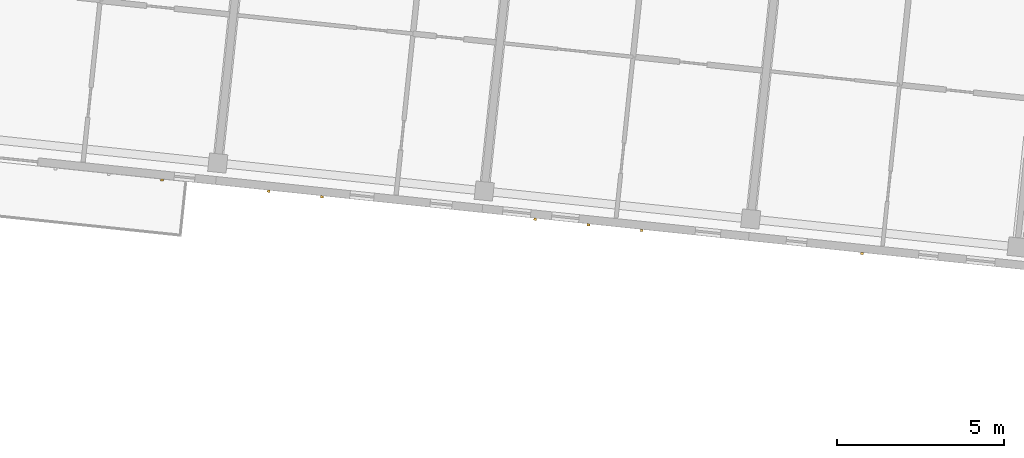
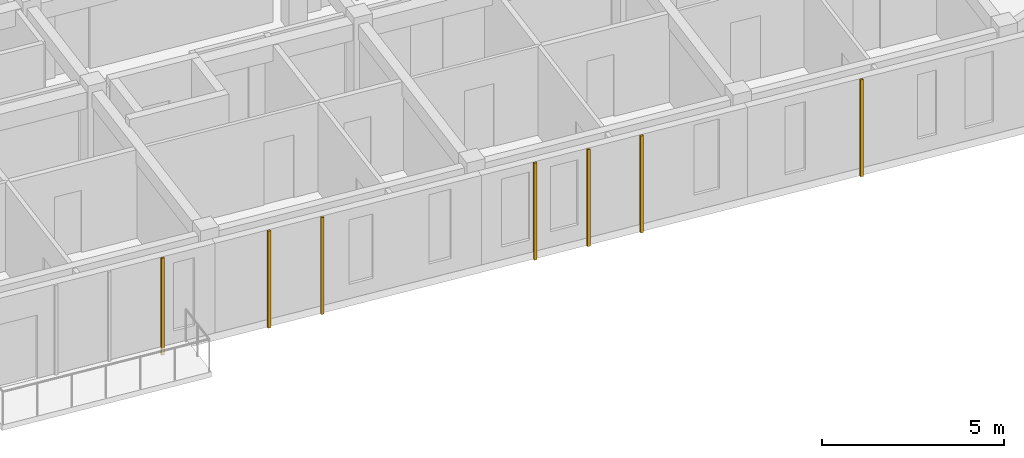
# One storey, part 63 of 66: 7 coverings.
"""IFC4 building model written with IfcOpenShell, lengths in metres."""

from ifc_helpers import new_model, si_unit, direction, frame, origin, origin_2d, place, context, subcontext, project, spatial, rectangle, extrude, material, layer, layer_set, type_object, element, save


model = new_model("IFC4")

# Units and contexts
model_context = context("Model", 3, precision=1e-05, world=origin(), true_north=direction((0.0, 1.0)))
body_context = subcontext(model_context, "Body", "Model", "MODEL_VIEW")
ifc_project = project(units=[si_unit("LENGTHUNIT", "METRE"), si_unit("AREAUNIT", "SQUARE_METRE"), si_unit("VOLUMEUNIT", "CUBIC_METRE"), si_unit("PLANEANGLEUNIT", "RADIAN"), si_unit("MASSUNIT", "GRAM", prefix="KILO")], contexts=[model_context])

# Site, building, storey
site_placement = place(None, origin())
site = spatial("IfcSite", under=ifc_project, at=site_placement, CompositionType="ELEMENT")
building_placement = place(site_placement, origin())
building = spatial("IfcBuilding", under=site, at=building_placement, Name="Kestramere Prow Commons", CompositionType="ELEMENT")
storey_placement = place(building_placement, frame((0.0, 0.0, 14.89990234375)))
storey = spatial("IfcBuildingStorey", under=building, at=storey_placement, Name="L04", CompositionType="ELEMENT", Elevation=14.89990234375)

# Coverings
ifc_material = material(Name="Weathered Zinc-Titanium Standing-Seam Cladding")
ifc_layer = layer(ifc_material, 0.074951171875)
ifc_layer_set = layer_set([ifc_layer], Name="Weathered Zinc-Titanium Standing-Seam Cladding")
covering_type = type_object("IfcCoveringType", Name="COV-CLAD-SEAM", PredefinedType="CLADDING", material=ifc_layer_set)
for number, where, z_axis, x_axis, name in (
    (1, (132.20654296875, 91.78466796875, -0.25), (0.0, 0.0, 1.0), (-0.994521895368, 0.104528463268, 0.0), "EW-B-L04-S-2 Standing-Seam Rib 1"),
    (2, (136.980224609375, 91.282958984375, -0.25), (0.0, 0.0, 1.0), (-0.994521895368, 0.104528463268, 0.0), "EW-B-L04-S-3 Standing-Seam Rib 3"),
    (3, (135.388916015625, 91.4501953125, -0.25), (0.0, 0.0, 1.0), (-0.994521895368, 0.104528463268, 0.0), "EW-B-L04-S-3 Standing-Seam Rib 4"),
    (4, (146.527587890625, 90.279541015625, -0.25), (0.0, 0.0, 1.0), (-0.994521895368, 0.104528463268, 0.0), "EW-B-L04-S-4 Standing-Seam Rib 2"),
    (5, (144.936279296875, 90.44677734375, -0.25), (0.0, 0.0, 1.0), (-0.994521895368, 0.104528463268, 0.0), "EW-B-L04-S-4 Standing-Seam Rib 3"),
    (6, (143.34521484375, 90.614013671875, -0.25), (0.0, 0.0, 1.0), (-0.994521895368, 0.104528463268, 0.0), "EW-B-L04-S-4 Standing-Seam Rib 4"),
    (7, (153.101318359375, 89.588623046875, -0.25), (0.0, 0.0, 1.0), (-0.994521895368, 0.104528463268, 0.0), "EW-B-L04-S-5 Standing-Seam Rib 3"),
):
    element("IfcCovering", number, at=place(storey_placement, frame(where, z_axis=z_axis, x_axis=x_axis)), inside=storey, type_object=covering_type, Name=name, PredefinedType="CLADDING", context=body_context, shape_type="SweptSolid", body=[
        extrude(rectangle(XDim=0.0849609375, YDim=0.06494140625, at=origin_2d()), origin(), (0.0, 0.0, 1.0), 3.25),
    ])

save(model, "model.ifc")
